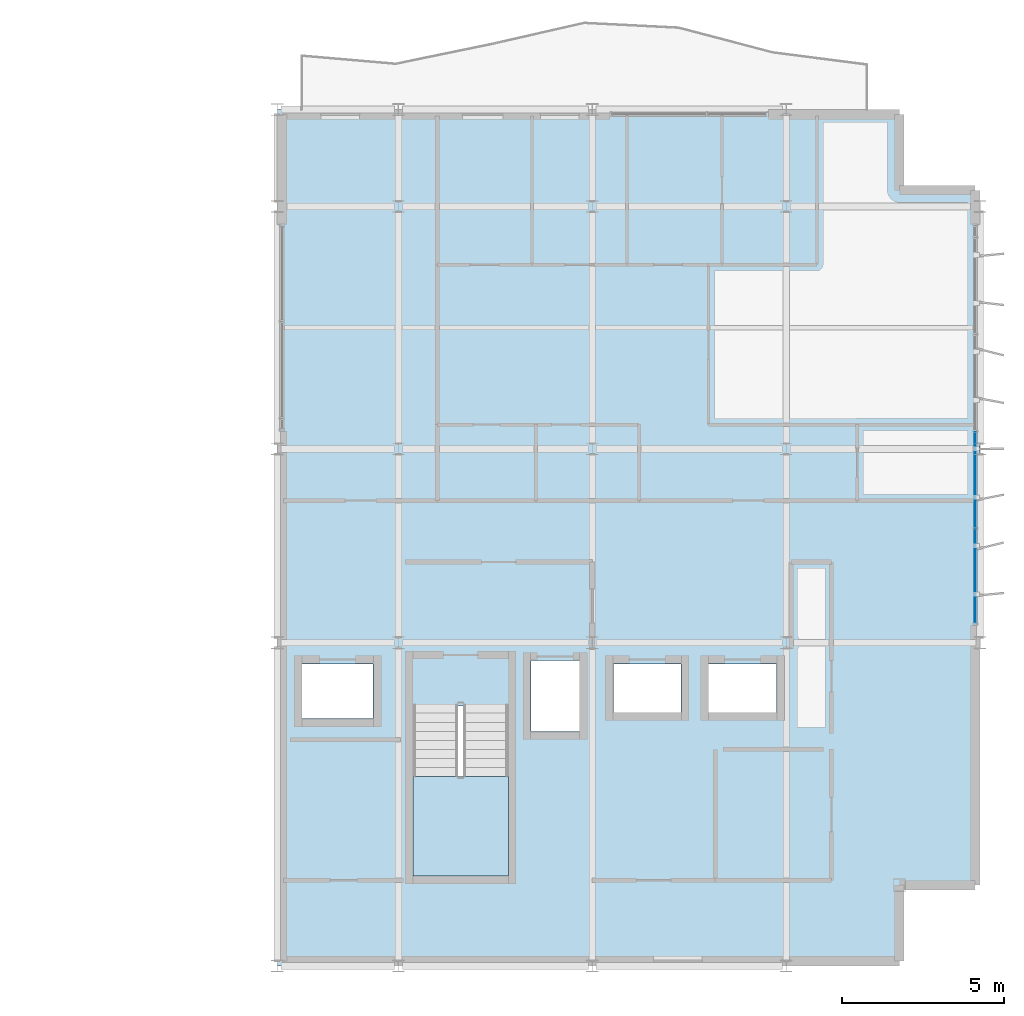
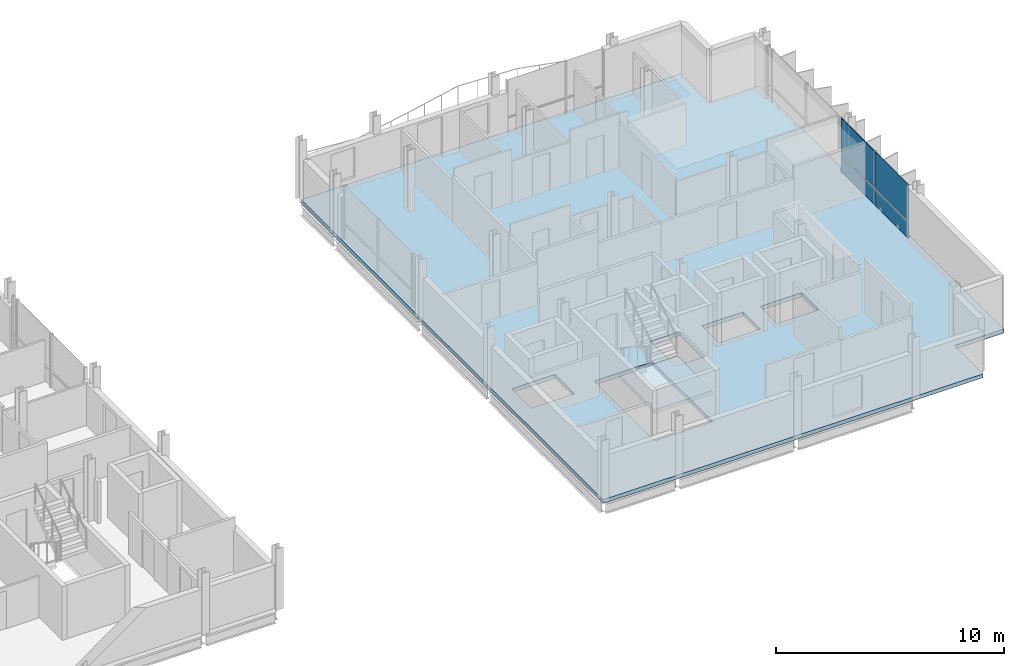
# One storey, part 18 of 30: 4 plates, 2 slabs, 2 elements without a shape of their own.
"""IFC4 building model written with IfcOpenShell, lengths in metres."""

from ifc_helpers import new_model, si_unit, direction, frame, origin, origin_2d, place, context, subcontext, project, spatial, polyline, rectangle, outline, extrude, material, layer, layer_set, type_object, element, aggregate, save


model = new_model("IFC4")

# Units and contexts
model_context = context("Model", 3, precision=1e-05, world=origin(), true_north=direction((0.0, 1.0)))
body_context = subcontext(model_context, "Body", "Model", "MODEL_VIEW")
ifc_project = project(units=[si_unit("LENGTHUNIT", "METRE"), si_unit("AREAUNIT", "SQUARE_METRE"), si_unit("VOLUMEUNIT", "CUBIC_METRE"), si_unit("PLANEANGLEUNIT", "RADIAN"), si_unit("MASSUNIT", "GRAM", prefix="KILO")], contexts=[model_context])

# Site, building, storey
site_placement = place(None, origin())
site = spatial("IfcSite", under=ifc_project, at=site_placement, CompositionType="ELEMENT")
building_placement = place(site_placement, origin())
building = spatial("IfcBuilding", under=site, at=building_placement, Name="Brevholm Reach", CompositionType="ELEMENT")
storey_placement = place(building_placement, frame((0.0, 0.0, 211.10009765625)))
storey = spatial("IfcBuildingStorey", under=building, at=storey_placement, Name="L64", CompositionType="ELEMENT", Elevation=211.10009765625)

# Curtain wall, plates
ifc_material_1 = material(Name="Dark Anodised Aluminium 6063-T6 and Solar-Control Glass", Category="aluminium")
ifc_layer_1 = layer(ifc_material_1, 0.14990234375)
ifc_layer_set_1 = layer_set([ifc_layer_1], Name="Dark Anodised Aluminium 6063-T6 and Solar-Control Glass")
curtain_wall_type = type_object("IfcCurtainWallType", Name="CW-01", PredefinedType="NOTDEFINED", material=ifc_layer_set_1)
curtain_wall_placement = place(storey_placement, origin())
curtain_wall = element("IfcCurtainWall", 1, at=curtain_wall_placement, inside=storey, type_object=curtain_wall_type, Name="L64 Curtain Wall CW-01", PredefinedType="NOTDEFINED")
ifc_material_2 = material(Name="Dark Solar-Control Double-Glazed IGU Glass", Category="glass")
ifc_layer_2 = layer(ifc_material_2, 0.028076171875)
ifc_layer_set_2 = layer_set([ifc_layer_2], Name="Dark Solar-Control Double-Glazed IGU Glass")
plate_type = type_object("IfcPlateType", Name="CWP-GLZ-28", PredefinedType="CURTAIN_PANEL", material=ifc_layer_set_2)
plate_1_placement = place(storey_placement, frame((59.85009765625, 12.066162109375, 0.0), z_axis=(0.0, 0.0, 1.0), x_axis=(0.0, 1.0, 0.0)))
plate_1 = element("IfcPlate", 2, at=plate_1_placement, type_object=plate_type, Name="CP-01 Glazing Panel 1.1", PredefinedType="CURTAIN_PANEL", context=body_context, shape_type="SweptSolid", body=[
    extrude(rectangle(XDim=2.902587890625, YDim=0.028076171875, at=origin_2d()), origin(), (0.0, 0.0, 1.0), 0.867431640625),
])
plate_2_placement = place(storey_placement, frame((59.85009765625, 12.066162109375, 0.9326171875), z_axis=(0.0, 0.0, 1.0), x_axis=(0.0, 1.0, 0.0)))
plate_2 = element("IfcPlate", 3, at=plate_2_placement, type_object=plate_type, Name="CP-01 Glazing Panel 1.2", PredefinedType="CURTAIN_PANEL", context=body_context, shape_type="SweptSolid", body=[
    extrude(rectangle(XDim=2.902587890625, YDim=0.028076171875, at=origin_2d()), origin(), (0.0, 0.0, 1.0), 1.947509765625),
])
plate_3_placement = place(storey_placement, frame((59.85009765625, 15.050048828125, 0.0), z_axis=(0.0, 0.0, 1.0), x_axis=(0.0, 1.0, 0.0)))
plate_3 = element("IfcPlate", 4, at=plate_3_placement, type_object=plate_type, Name="CP-01 Glazing Panel 2.1", PredefinedType="CURTAIN_PANEL", context=body_context, shape_type="SweptSolid", body=[
    extrude(rectangle(XDim=2.93505859375, YDim=0.028076171875, at=origin_2d()), origin(), (0.0, 0.0, 1.0), 0.867431640625),
])
plate_4_placement = place(storey_placement, frame((59.85009765625, 15.050048828125, 0.9326171875), z_axis=(0.0, 0.0, 1.0), x_axis=(0.0, 1.0, 0.0)))
plate_4 = element("IfcPlate", 5, at=plate_4_placement, type_object=plate_type, Name="CP-01 Glazing Panel 2.2", PredefinedType="CURTAIN_PANEL", context=body_context, shape_type="SweptSolid", body=[
    extrude(rectangle(XDim=2.93505859375, YDim=0.028076171875, at=origin_2d()), origin(), (0.0, 0.0, 1.0), 1.947509765625),
])
aggregate(curtain_wall, [plate_1, plate_2, plate_3, plate_4])

# Slab
ifc_material_3 = material(Name="Concrete C40/50", Category="concrete")
ifc_layer_3 = layer(ifc_material_3, 0.2099609375)
ifc_layer_set_3 = layer_set([ifc_layer_3], Name="Concrete C40/50")
slab_type_1 = type_object("IfcSlabType", Name="SLB-FL-210", PredefinedType="FLOOR", material=ifc_layer_set_3)
slab_1_placement = place(storey_placement, frame((0.0, 0.0, -0.210205078125)))
element("IfcSlab", 6, at=slab_1_placement, inside=storey, type_object=slab_type_1, Name="L64 Suspended Floor Slab (east-wing)", PredefinedType="FLOOR", context=body_context, shape_type="SweptSolid", body=[
    extrude(outline(polyline([(38.25, 0.0), (57.5, 0.0), (57.5, 2.5), (60.0, 2.5), (60.0, 24.0), (57.5, 24.0), (57.5, 26.5), (38.25, 26.5), (38.25, 0.0)]), holes=[polyline([(42.449951171875, 2.780029296875), (45.39990234375, 2.780029296875), (45.39990234375, 8.044921875), (42.449951171875, 8.044921875), (42.449951171875, 2.780029296875)]), polyline([(46.10009765625, 7.25), (47.60009765625, 7.25), (47.60009765625, 9.449951171875), (46.10009765625, 9.449951171875), (46.10009765625, 7.25)]), polyline([(39.02001953125, 7.64990234375), (41.219970703125, 7.64990234375), (41.219970703125, 9.35009765625), (39.02001953125, 9.35009765625), (39.02001953125, 7.64990234375)]), polyline([(48.64990234375, 7.85009765625), (50.75, 7.85009765625), (50.75, 9.35009765625), (48.64990234375, 9.35009765625), (48.64990234375, 7.85009765625)]), polyline([(51.60009765625, 7.85009765625), (53.699951171875, 7.85009765625), (53.699951171875, 9.35009765625), (51.60009765625, 9.35009765625), (51.60009765625, 7.85009765625)])]), origin(), (0.0, 0.0, 1.0), 0.210205078125),
])

# Stair, slab
ifc_material_4 = material(Name="Precast Concrete C40/50", Category="concrete")
stair_type = type_object("IfcStairType", Name="STR-ESC-1400", PredefinedType="DOUBLE_RETURN_STAIR", material=ifc_material_4)
stair_placement = place(storey_placement, origin())
stair = element("IfcStair", 7, at=stair_placement, inside=storey, type_object=stair_type, Name="L64 ST-2", PredefinedType="DOUBLE_RETURN_STAIR")
ifc_material_5 = material(Name="Concrete C40/50", Category="concrete")
ifc_layer_4 = layer(ifc_material_5, 0.199951171875)
ifc_layer_set_4 = layer_set([ifc_layer_4], Name="Concrete C40/50")
slab_type_2 = type_object("IfcSlabType", Name="SLB-LND-200", PredefinedType="LANDING", material=ifc_layer_set_4)
slab_2_placement = place(storey_placement, frame((0.0, 0.0, 1.449951171875)))
slab_2 = element("IfcSlab", 8, at=slab_2_placement, type_object=slab_type_2, Name="ST-2 landing 1", PredefinedType="LANDING", context=body_context, shape_type="SweptSolid", body=[
    extrude(outline(polyline([(42.449951171875, 5.860107421875), (42.449951171875, 2.780029296875), (45.39990234375, 2.780029296875), (45.39990234375, 5.860107421875), (42.449951171875, 5.860107421875)])), origin(), (0.0, 0.0, 1.0), 0.199951171875),
])
aggregate(stair, [slab_2])

save(model, "model.ifc")
